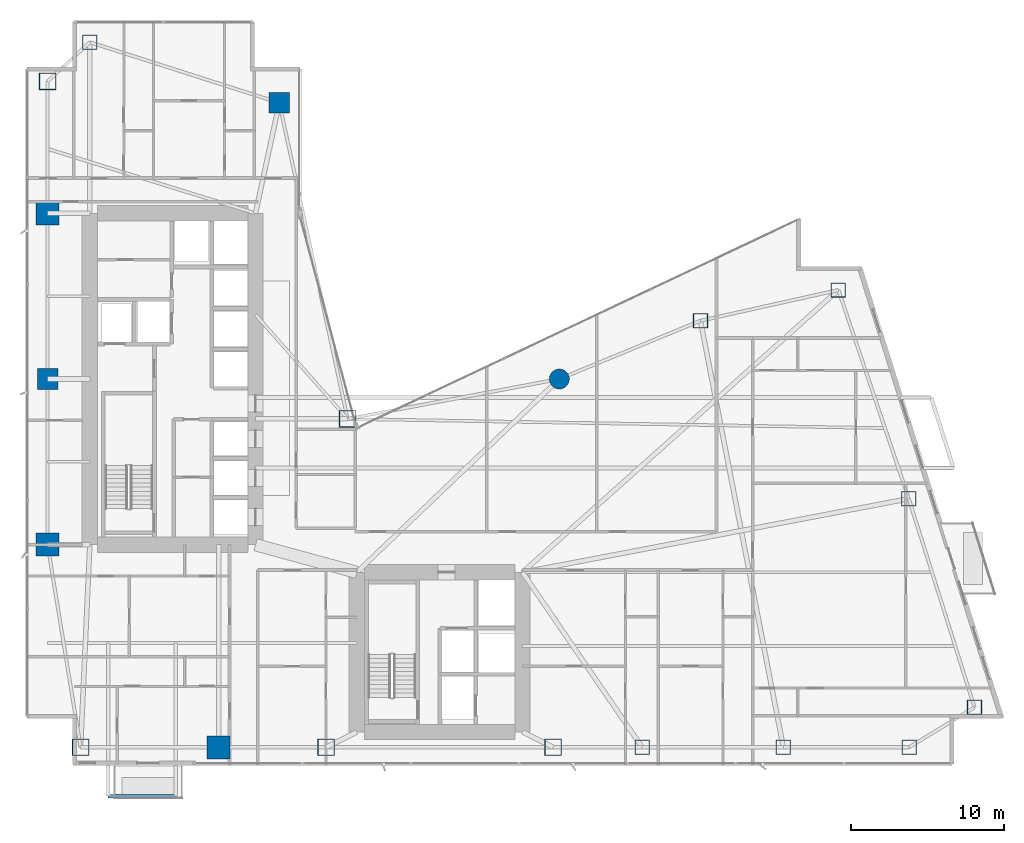
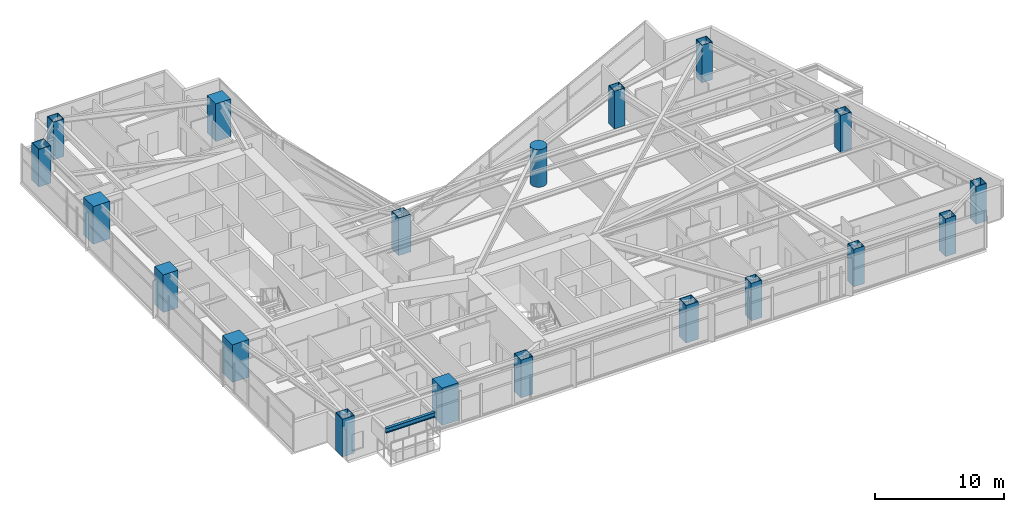
# One storey, part 1 of 29: 19 columns, 1 beam.
"""IFC4 building model written with IfcOpenShell, lengths in metres."""

from ifc_helpers import new_model, si_unit, direction, frame, origin, origin_2d, place, context, subcontext, project, spatial, rectangle, hollow_rectangle, circle, i_section, extrude, material, material_profile, profile_set, type_object, element, save


model = new_model("IFC4")

# Units and contexts
model_context = context("Model", 3, precision=1e-05, world=origin(), true_north=direction((0.0, 1.0)))
body_context = subcontext(model_context, "Body", "Model", "MODEL_VIEW")
ifc_project = project(units=[si_unit("LENGTHUNIT", "METRE"), si_unit("AREAUNIT", "SQUARE_METRE"), si_unit("VOLUMEUNIT", "CUBIC_METRE"), si_unit("PLANEANGLEUNIT", "RADIAN"), si_unit("MASSUNIT", "GRAM", prefix="KILO")], contexts=[model_context])

# Site, building, storey
site_placement = place(None, origin())
site = spatial("IfcSite", under=ifc_project, at=site_placement, CompositionType="ELEMENT")
building_placement = place(site_placement, origin())
building = spatial("IfcBuilding", under=site, at=building_placement, Name="Calvorn Quay Hotel", CompositionType="ELEMENT")
storey_placement = place(building_placement, frame((0.0, 0.0, 38.39990234375)))
storey = spatial("IfcBuildingStorey", under=building, at=storey_placement, Name="L08", CompositionType="ELEMENT", Elevation=38.39990234375)

# Columns
ifc_material_1 = material(Name="Concrete C60", Category="concrete")
ifc_material_profile_1 = material_profile(ifc_material_1, rectangle(XDim=1.35009765625, YDim=1.35009765625, at=origin_2d()), Name="RC1350x1350")
ifc_profile_set_1 = profile_set([ifc_material_profile_1], Name="Concrete C60")
column_type_1 = type_object("IfcColumnType", Name="COL-RC-1350", PredefinedType="COLUMN", material=ifc_profile_set_1)
for number, where, z_axis, x_axis, name in (
    (1, (1.449951171875, 27.60009765625, 0.0), (0.0, 0.0, 1.0), (1.0, 0.0, 0.0), "Column C-W3 (L08)"),
    (2, (16.550048828125, 45.60009765625, 0.0), (0.0, 0.0, 1.0), (1.0, 0.0, 0.0), "Column C-IC1 (L08)"),
):
    element("IfcColumn", number, at=place(storey_placement, frame(where, z_axis=z_axis, x_axis=x_axis)), inside=storey, type_object=column_type_1, Name=name, PredefinedType="COLUMN", context=body_context, shape_type="SweptSolid", body=[
        extrude(rectangle(XDim=1.35009765625, YDim=1.35009765625, at=origin_2d()), origin(), (0.0, 0.0, 1.0), 3.56005859375),
    ])
ifc_material_2 = material(Name="Concrete C60", Category="concrete")
ifc_material_profile_2 = material_profile(ifc_material_2, rectangle(XDim=1.5, YDim=1.5, at=origin_2d()), Name="RC1500x1500")
ifc_profile_set_2 = profile_set([ifc_material_profile_2], Name="Concrete C60")
column_type_2 = type_object("IfcColumnType", Name="COL-RC-1500", PredefinedType="COLUMN", material=ifc_profile_set_2)
for number, where, z_axis, x_axis, name in (
    (3, (1.449951171875, 16.800048828125, 0.0), (0.0, 0.0, 1.0), (1.0, 0.0, 0.0), "Column C-W2 (L08)"),
    (4, (1.449951171875, 38.39990234375, 0.0), (0.0, 0.0, 1.0), (1.0, 0.0, 0.0), "Column C-W4 (L08)"),
    (5, (12.60009765625, 3.60009765625, 0.0), (0.0, 0.0, 1.0), (1.0, 0.0, 0.0), "Column C-S1 (L08)"),
):
    element("IfcColumn", number, at=place(storey_placement, frame(where, z_axis=z_axis, x_axis=x_axis)), inside=storey, type_object=column_type_2, Name=name, PredefinedType="COLUMN", context=body_context, shape_type="SweptSolid", body=[
        extrude(rectangle(XDim=1.5, YDim=1.5, at=origin_2d()), origin(), (0.0, 0.0, 1.0), 3.56005859375),
    ])
ifc_material_3 = material(Name="Concrete C60", Category="concrete")
ifc_material_profile_3 = material_profile(ifc_material_3, circle(Radius=0.64990234375, at=origin_2d()), Name="RCD1300")
ifc_profile_set_3 = profile_set([ifc_material_profile_3], Name="Concrete C60")
column_type_3 = type_object("IfcColumnType", Name="COL-RC-D1300", PredefinedType="COLUMN", material=ifc_profile_set_3)
column_placement = place(storey_placement, frame((34.800048828125, 27.60009765625, 0.0), z_axis=(0.0, 0.0, 1.0), x_axis=(1.0, 0.0, 0.0)))
element("IfcColumn", 6, at=column_placement, inside=storey, type_object=column_type_3, Name="Column C-NC1 (L08)", PredefinedType="COLUMN", context=body_context, shape_type="SweptSolid", body=[
    extrude(circle(Radius=0.64990234375, at=origin_2d()), origin(), (0.0, 0.0, 1.0), 3.56005859375),
])
ifc_material_4 = material(Name="Steel Q420GJC", Category="steel")
ifc_material_profile_4 = material_profile(ifc_material_4, hollow_rectangle(XDim=1.10009765625, YDim=1.10009765625, WallThickness=0.044921875, at=origin_2d()), Name="BOX1100x1100x45")
ifc_profile_set_4 = profile_set([ifc_material_profile_4], Name="Steel Q420GJC")
column_type_4 = type_object("IfcColumnType", Name="COL-STL-MEGA1", PredefinedType="COLUMN", material=ifc_profile_set_4)
for number, where, z_axis, x_axis, name in (
    (7, (3.60009765625, 3.60009765625, 0.0), (0.0, 0.0, 1.0), (1.0, 0.0, 0.0), "Column C-W1 (L08)"),
    (8, (1.449951171875, 47.0, 0.0), (0.0, 0.0, 1.0), (1.0, 0.0, 0.0), "Column C-W5 (L08)"),
    (9, (21.0, 25.0, 0.0), (0.0, 0.0, 1.0), (1.0, 0.0, 0.0), "Column C-IC2 (L08)"),
    (10, (19.60009765625, 3.60009765625, 0.0), (0.0, 0.0, 1.0), (1.0, 0.0, 0.0), "Column C-S2 (L08)"),
    (11, (34.39990234375, 3.60009765625, 0.0), (0.0, 0.0, 1.0), (1.0, 0.0, 0.0), "Column C-S3 (L08)"),
):
    element("IfcColumn", number, at=place(storey_placement, frame(where, z_axis=z_axis, x_axis=x_axis)), inside=storey, type_object=column_type_4, Name=name, PredefinedType="COLUMN", context=body_context, shape_type="SweptSolid", body=[
        extrude(hollow_rectangle(XDim=1.10009765625, YDim=1.10009765625, WallThickness=0.044921875, at=origin_2d()), origin(), (0.0, 0.0, 1.0), 3.56005859375),
    ])
ifc_material_5 = material(Name="Steel Q420GJC", Category="steel")
ifc_material_profile_5 = material_profile(ifc_material_5, hollow_rectangle(XDim=0.949951171875, YDim=0.949951171875, WallThickness=0.0400390625, at=origin_2d()), Name="BOX950x950x40")
ifc_profile_set_5 = profile_set([ifc_material_profile_5], Name="Steel Q420GJC")
column_type_5 = type_object("IfcColumnType", Name="COL-STL-MEGA2", PredefinedType="COLUMN", material=ifc_profile_set_5)
for number, where, z_axis, x_axis, name in (
    (12, (4.199951171875, 49.550048828125, 0.0), (0.0, 0.0, 1.0), (1.0, 0.0, 0.0), "Column C-NW1 (L08)"),
    (13, (40.199951171875, 3.60009765625, 0.0), (0.0, 0.0, 1.0), (1.0, 0.0, 0.0), "Column C-S4 (L08)"),
    (14, (49.39990234375, 3.60009765625, 0.0), (0.0, 0.0, 1.0), (1.0, 0.0, 0.0), "Column C-S5 (L08)"),
    (15, (57.60009765625, 3.60009765625, 0.0), (0.0, 0.0, 1.0), (1.0, 0.0, 0.0), "Column C-S6 (L08)"),
    (16, (44.0, 31.39990234375, 0.0), (0.0, 0.0, 1.0), (1.0, 0.0, 0.0), "Column C-NC2 (L08)"),
    (17, (61.861083984375, 6.199951171875, 0.0), (0.0, 0.0, 1.0), (1.0, 0.0, 0.0), "Column C-ET1 (L08)"),
    (18, (57.575927734375, 19.800048828125, 0.0), (0.0, 0.0, 1.0), (1.0, 0.0, 0.0), "Column C-ET2 (L08)"),
    (19, (52.990966796875, 33.39990234375, 0.0), (0.0, 0.0, 1.0), (1.0, 0.0, 0.0), "Column C-ET3 (L08)"),
):
    element("IfcColumn", number, at=place(storey_placement, frame(where, z_axis=z_axis, x_axis=x_axis)), inside=storey, type_object=column_type_5, Name=name, PredefinedType="COLUMN", context=body_context, shape_type="SweptSolid", body=[
        extrude(hollow_rectangle(XDim=0.949951171875, YDim=0.949951171875, WallThickness=0.0400390625, at=origin_2d()), origin(), (0.0, 0.0, 1.0), 3.56005859375),
    ])

# Beam
ifc_material_6 = material(Name="Steel Q355B", Category="steel")
ifc_material_profile_6 = material_profile(ifc_material_6, i_section(OverallWidth=0.25, OverallDepth=0.449951171875, WebThickness=0.011962890625, FlangeThickness=0.01611328125, FilletRadius=0.01611328125, at=origin_2d()), Name="HN450x250x12x16")
ifc_profile_set_6 = profile_set([ifc_material_profile_6], Name="Steel Q355B")
beam_type = type_object("IfcBeamType", Name="BM-CANT-BALC", PredefinedType="BEAM", material=ifc_profile_set_6)
beam_placement = place(storey_placement, frame((5.39990234375, 0.409912109375, 3.315185546875), z_axis=(1.0, 0.0, 0.0), x_axis=(0.0, 1.0, 0.0)))
element("IfcBeam", 20, at=beam_placement, inside=storey, type_object=beam_type, Name="Beam BCBO-L09-2", PredefinedType="BEAM", context=body_context, shape_type="SweptSolid", body=[
    extrude(i_section(OverallWidth=0.25, OverallDepth=0.449951171875, WebThickness=0.011962890625, FlangeThickness=0.01611328125, FilletRadius=0.01611328125, at=origin_2d()), origin(), (0.0, 0.0, 1.0), 4.400146484375),
])

save(model, "model.ifc")
